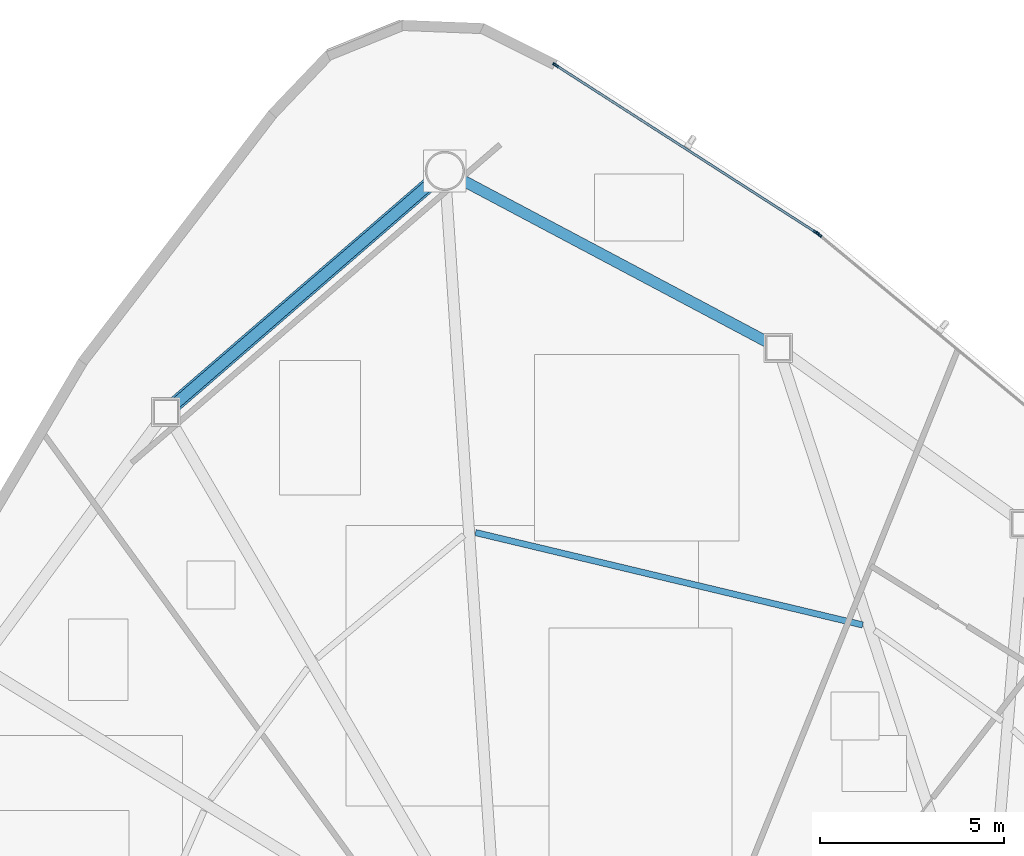
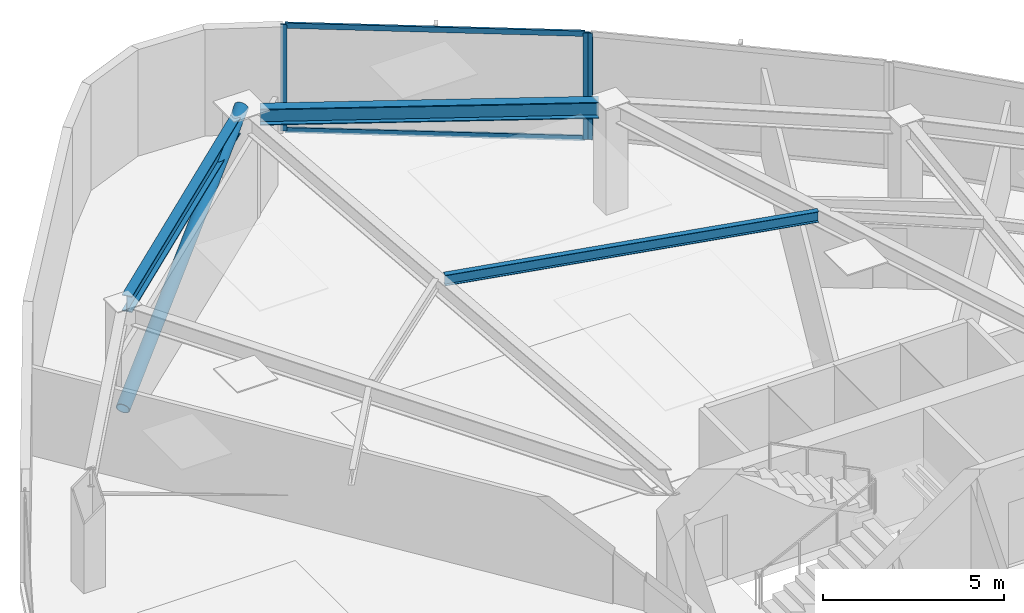
# One storey, part 8 of 17: 6 members, 3 beams, 2 elements without a shape of their own.
"""IFC4 building model written with IfcOpenShell, lengths in metres."""

from ifc_helpers import new_model, si_unit, direction, frame, origin, origin_2d, place, context, subcontext, project, spatial, hollow_rectangle, hollow_circle, i_section, extrude, source, transform, mapped, material, layer, layer_set, material_profile, profile_set, type_object, type_shapes, element, aggregate, save


model = new_model("IFC4")

# Units and contexts
model_context = context("Model", 3, precision=1e-05, world=origin(), true_north=direction((0.0, 1.0)))
body_context = subcontext(model_context, "Body", "Model", "MODEL_VIEW")
ifc_project = project(units=[si_unit("LENGTHUNIT", "METRE"), si_unit("AREAUNIT", "SQUARE_METRE"), si_unit("VOLUMEUNIT", "CUBIC_METRE"), si_unit("PLANEANGLEUNIT", "RADIAN"), si_unit("MASSUNIT", "GRAM", prefix="KILO")], contexts=[model_context])

# Site, building, storey
site_placement = place(None, origin())
site = spatial("IfcSite", under=ifc_project, at=site_placement, CompositionType="ELEMENT")
building_placement = place(site_placement, origin())
building = spatial("IfcBuilding", under=site, at=building_placement, Name="Tavelor Broadcast Tower", CompositionType="ELEMENT")
storey_placement = place(building_placement, frame((0.0, 0.0, 66.60009765625)))
storey = spatial("IfcBuildingStorey", under=building, at=storey_placement, Name="L15", CompositionType="ELEMENT", Elevation=66.60009765625)

# Beams
ifc_material_1 = material(Name="Steel S355", Category="steel")
ifc_material_profile_1 = material_profile(ifc_material_1, i_section(OverallWidth=0.169921875, OverallDepth=0.360107421875, WebThickness=0.008056640625, FlangeThickness=0.0126953125, at=origin_2d()), Name="IPE 360")
ifc_profile_set_1 = profile_set([ifc_material_profile_1], Name="Steel S355")
beam_type_1 = type_object("IfcBeamType", Name="Composite Floor Joist T2 IPE 360", PredefinedType="JOIST", material=ifc_profile_set_1)
beam_1_placement = place(storey_placement, frame((53.252685546875, 60.954345703125, 3.419921875), z_axis=(-0.97267356202, 0.232176962139, 0.0), x_axis=(-0.232176962139, -0.97267356202, 0.0)))
element("IfcBeam", 1, at=beam_1_placement, inside=storey, type_object=beam_type_1, Name="L15 Secondary Composite Floor Joist 18", PredefinedType="JOIST", context=body_context, shape_type="SweptSolid", body=[
    extrude(i_section(OverallWidth=0.169921875, OverallDepth=0.360107421875, WebThickness=0.008056640625, FlangeThickness=0.0126953125, at=origin_2d()), origin(), (0.0, 0.0, 1.0), 10.794921875),
])
ifc_material_profile_2 = material_profile(ifc_material_1, i_section(OverallWidth=0.300048828125, OverallDepth=0.550048828125, WebThickness=0.014892578125, FlangeThickness=0.029052734375, at=origin_2d()), Name="HEB 550")
ifc_profile_set_2 = profile_set([ifc_material_profile_2], Name="Steel S355")
beam_type_2 = type_object("IfcBeamType", Name="Perimeter Spandrel Beam T2 HEB 550", PredefinedType="SPANDREL", material=ifc_profile_set_2)
beam_2_placement = place(storey_placement, frame((41.535400390625, 72.931396484375, 3.324951171875), z_axis=(-0.756652037371, -0.653817783746, 0.0), x_axis=(0.653817783746, -0.756652037371, 0.0)))
element("IfcBeam", 2, at=beam_2_placement, inside=storey, type_object=beam_type_2, Name="L15 Framed-Tube Ring Spandrel 01", PredefinedType="SPANDREL", context=body_context, shape_type="SweptSolid", body=[
    extrude(i_section(OverallWidth=0.300048828125, OverallDepth=0.550048828125, WebThickness=0.014892578125, FlangeThickness=0.029052734375, at=origin_2d()), origin(), (0.0, 0.0, 1.0), 9.15234375),
])
beam_3_placement = place(storey_placement, frame((50.6650390625, 68.626220703125, 3.324951171875), z_axis=(-0.883288784051, 0.468829312192, 0.0), x_axis=(-0.468829312192, -0.883288784051, 0.0)))
element("IfcBeam", 3, at=beam_3_placement, inside=storey, type_object=beam_type_2, Name="L15 Framed-Tube Ring Spandrel 18", PredefinedType="SPANDREL", context=body_context, shape_type="SweptSolid", body=[
    extrude(i_section(OverallWidth=0.300048828125, OverallDepth=0.550048828125, WebThickness=0.014892578125, FlangeThickness=0.029052734375, at=origin_2d()), origin(), (0.0, 0.0, 1.0), 9.384765625),
])

# Member
ifc_material_profile_3 = material_profile(ifc_material_1, hollow_circle(Radius=0.203125, WallThickness=0.02001953125, at=origin_2d()), Name="CHS 406.4x20")
ifc_profile_set_3 = profile_set([ifc_material_profile_3], Name="Steel S355")
member_type_1 = type_object("IfcMemberType", Name="Perimeter Tube Brace T2 CHS 406.4x20", PredefinedType="BRACE", material=ifc_profile_set_3)
member_1_placement = place(storey_placement, frame((34.356201171875, 66.727783203125, 0.0), z_axis=(0.711928728007, 0.615179557123, 0.338691007758), x_axis=(-0.653821967179, 0.756648422475, 0.0)))
element("IfcMember", 4, at=member_1_placement, inside=storey, type_object=member_type_1, Name="L15 Corner Tube Diagonal Brace 1", PredefinedType="BRACE", context=body_context, shape_type="SweptSolid", body=[
    extrude(hollow_circle(Radius=0.203125, WallThickness=0.02001953125, at=origin_2d()), origin(), (0.0, 0.0, 1.0), 10.628662109375),
])

# Curtain wall, member
ifc_material_2 = material(Name="Architectural Anodized Aluminium", Category="aluminium")
ifc_layer = layer(ifc_material_2, 0.179931640625)
ifc_layer_set = layer_set([ifc_layer], Name="Architectural Anodized Aluminium")
curtain_wall_type = type_object("IfcCurtainWallType", Name="Tower Low-Zone Unitised Curtain Wall CW02", PredefinedType="NOTDEFINED", material=ifc_layer_set)
curtain_wall_1_placement = place(storey_placement, origin())
curtain_wall_1 = element("IfcCurtainWall", 5, at=curtain_wall_1_placement, inside=storey, type_object=curtain_wall_type, Name="L15 Curtain Wall CW02 Run 143", PredefinedType="NOTDEFINED")
ifc_material_profile_4 = material_profile(ifc_material_2, hollow_rectangle(XDim=0.06494140625, YDim=0.179931640625, WallThickness=0.02197265625, at=origin_2d()), Name="RHS 65x180x22")
ifc_profile_set_4 = profile_set([ifc_material_profile_4], Name="Architectural Anodized Aluminium")
member_type_2 = type_object("IfcMemberType", Name="CW02 Extruded Aluminium Mullion 65x180", PredefinedType="MULLION", material=ifc_profile_set_4)
shared_shape_1 = source(origin(), body_context, "Body", "SweptSolid", [
    extrude(hollow_rectangle(XDim=0.06494140625, YDim=0.179931640625, WallThickness=0.02197265625, at=origin_2d()), origin(), (0.0, 0.0, 1.0), 3.599853515625),
])
type_shapes(member_type_2, [shared_shape_1])
member_2_placement = place(storey_placement, frame((52.063720703125, 71.5419921875, 0.0), z_axis=(0.0, 0.0, 1.0), x_axis=(-0.638422039221, -0.769686494514, 0.0)))
member_2 = element("IfcMember", 6, at=member_2_placement, type_object=member_type_2, Name="CW02 mullion 2", PredefinedType="MULLION", context=body_context, shape_type="MappedRepresentation", body=[
    mapped(shared_shape_1, transform((0.0, 0.0, 0.0), scale=1.0)),
])
aggregate(curtain_wall_1, [member_2])

# Curtain wall, members
curtain_wall_2_placement = place(storey_placement, origin())
curtain_wall_2 = element("IfcCurtainWall", 7, at=curtain_wall_2_placement, inside=storey, type_object=curtain_wall_type, Name="L15 Curtain Wall CW02 Run 144", PredefinedType="NOTDEFINED")
member_3_placement = place(storey_placement, frame((51.987060546875, 71.597900390625, 0.0), z_axis=(0.0, 0.0, 1.0), x_axis=(-0.540591929295, -0.841284949337, 0.0)))
member_3 = element("IfcMember", 8, at=member_3_placement, type_object=member_type_2, Name="CW02 mullion 1", PredefinedType="MULLION", context=body_context, shape_type="MappedRepresentation", body=[
    mapped(shared_shape_1, transform((0.0, 0.0, 0.0), scale=1.0)),
])
member_4_placement = place(storey_placement, frame((44.931640625, 76.131591796875, 0.0), z_axis=(0.0, 0.0, 1.0), x_axis=(-0.540591929295, -0.841284949337, 0.0)))
member_4 = element("IfcMember", 9, at=member_4_placement, type_object=member_type_2, Name="CW02 mullion 2", PredefinedType="MULLION", context=body_context, shape_type="MappedRepresentation", body=[
    mapped(shared_shape_1, transform((0.0, 0.0, 0.0), scale=1.0)),
])
ifc_material_profile_5 = material_profile(ifc_material_2, hollow_rectangle(XDim=0.06494140625, YDim=0.179931640625, WallThickness=0.02197265625, at=origin_2d()), Name="RHS 65x180x22")
ifc_profile_set_5 = profile_set([ifc_material_profile_5], Name="Architectural Anodized Aluminium")
member_type_3 = type_object("IfcMemberType", Name="CW02 Extruded Aluminium Transom 65x180", PredefinedType="USERDEFINED", material=ifc_profile_set_5)
shared_shape_2 = source(origin(), body_context, "Body", "SweptSolid", [
    extrude(hollow_rectangle(XDim=0.06494140625, YDim=0.179931640625, WallThickness=0.02197265625, at=origin_2d()), origin(), (0.0, 0.0, 1.0), 8.321533203125),
])
type_shapes(member_type_3, [shared_shape_2])
member_5_placement = place(storey_placement, frame((51.959716796875, 71.615478515625, 0.032470703125), z_axis=(-0.841284268871, 0.540592988255, 0.0), x_axis=(-0.540592988255, -0.841284268871, 0.0)))
member_5 = element("IfcMember", 10, at=member_5_placement, type_object=member_type_3, Name="CW02 transom 1.1", ObjectType="TRANSOM", PredefinedType="USERDEFINED", context=body_context, shape_type="MappedRepresentation", body=[
    mapped(shared_shape_2, transform((0.0, 0.0, 0.0), scale=1.0)),
])
member_6_placement = place(storey_placement, frame((51.959716796875, 71.615478515625, 3.5673828125), z_axis=(-0.841284268871, 0.540592988255, 0.0), x_axis=(-0.540592988255, -0.841284268871, 0.0)))
member_6 = element("IfcMember", 11, at=member_6_placement, type_object=member_type_3, Name="CW02 transom 1.2", ObjectType="TRANSOM", PredefinedType="USERDEFINED", context=body_context, shape_type="MappedRepresentation", body=[
    mapped(shared_shape_2, transform((0.0, 0.0, 0.0), scale=1.0)),
])
aggregate(curtain_wall_2, [member_3, member_4, member_5, member_6])

save(model, "model.ifc")
